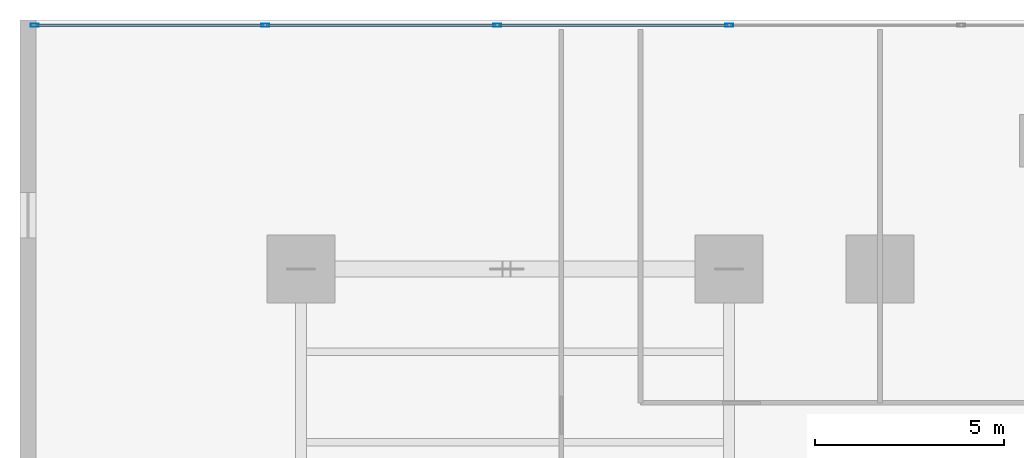
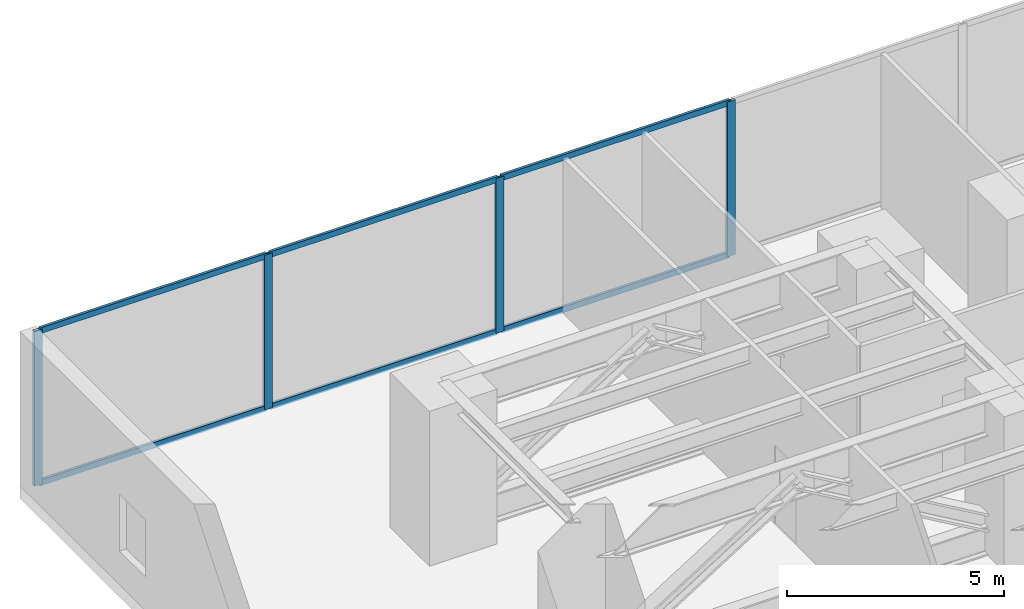
# One storey, part 3 of 18: 10 members, 1 element without a shape of its own.
"""IFC4 building model written with IfcOpenShell, lengths in metres."""

import ifcopenshell
import ifcopenshell.guid

model = None  # the IFC model being written
_history = None  # IfcOwnerHistory: only IFC2X3 demands one
_inside = {}  # id of a spatial element -> (the spatial element, [elements in it])
_under = {}  # id of a project, library or spatial element -> (it, [spatial elements below it])
_declared = {}  # id of a project -> (the project, [libraries it declares])
_typed = {}  # id of a type object -> (the type object, [elements of that type])
_made_of = {}  # id of a material, layer set ... -> (it, [elements and type objects made of it])


def new_model(schema):
    """Start an empty IFC model of exactly this schema.

    Asked for "IFC4X3", IfcOpenShell would pick the latest addendum, in which some entities
    have other attributes; the version numbers below select the first issue.
    IFC2X3 requires an IfcOwnerHistory on every rooted entity: one is made here for all.
    """
    global model, _history
    if schema == "IFC4X3":
        model = ifcopenshell.file(schema_version=(4, 3, 0, 0))
    else:
        model = ifcopenshell.file(schema=schema)
    _inside.clear()
    _under.clear()
    _declared.clear()
    _typed.clear()
    _made_of.clear()
    _history = None
    if model.schema == "IFC2X3":
        org = make("IfcOrganization", Name="unknown")
        user = make(
            "IfcPersonAndOrganization",
            ThePerson=make("IfcPerson", FamilyName="unknown"),
            TheOrganization=org,
        )
        app = make(
            "IfcApplication",
            ApplicationDeveloper=org,
            Version="unknown",
            ApplicationFullName="unknown",
            ApplicationIdentifier="unknown",
        )
        _history = make(
            "IfcOwnerHistory",
            OwningUser=user,
            OwningApplication=app,
            ChangeAction="ADDED",
            CreationDate=0,
        )
    return model


def make(cls, **values):
    """One entity of the class cls with the attributes given. An attribute that is None is left unset."""
    return model.create_entity(
        cls, **{name: value for name, value in values.items() if value is not None}
    )


def rooted(cls, **values):
    """An entity with a GlobalId (a new one), such as an element, a storey or a relation."""
    return make(cls, GlobalId=ifcopenshell.guid.new(), OwnerHistory=_history, **values)


def si_unit(unit_type, name, prefix=None):
    """IfcSIUnit, for example si_unit("LENGTHUNIT", "METRE", prefix="MILLI")."""
    return make("IfcSIUnit", UnitType=unit_type, Prefix=prefix, Name=name)


def assignment(units):
    """IfcUnitAssignment: the units of a project."""
    return None if units is None else make("IfcUnitAssignment", Units=units)


def point(xyz):
    """IfcCartesianPoint."""
    return None if xyz is None else make("IfcCartesianPoint", Coordinates=xyz)


def direction(xyz):
    """IfcDirection."""
    return None if xyz is None else make("IfcDirection", DirectionRatios=xyz)


def frame(location, z_axis=None, x_axis=None):
    """IfcAxis2Placement3D, a coordinate frame: its origin and axes. An axis left out is left unset."""
    return make(
        "IfcAxis2Placement3D",
        Location=point(location),
        Axis=direction(z_axis),
        RefDirection=direction(x_axis),
    )


def frame_2d(location, x_axis=None):
    """IfcAxis2Placement2D, a coordinate frame in the plane: its origin and x axis."""
    return make(
        "IfcAxis2Placement2D", Location=point(location), RefDirection=direction(x_axis)
    )


def origin():
    """The frame at (0, 0, 0) with its axes left unset."""
    return frame((0.0, 0.0, 0.0))


def origin_with_axes():
    """The frame at (0, 0, 0) with the z axis (0, 0, 1) and the x axis (1, 0, 0) written out."""
    return frame((0.0, 0.0, 0.0), z_axis=(0.0, 0.0, 1.0), x_axis=(1.0, 0.0, 0.0))


def origin_2d():
    """The frame at (0, 0) in the plane with its x axis left unset."""
    return frame_2d((0.0, 0.0))


def place(relative_to, where):
    """IfcLocalPlacement: puts the frame where relative to a parent placement (None: the world)."""
    return make(
        "IfcLocalPlacement", PlacementRelTo=relative_to, RelativePlacement=where
    )


def context(
    kind, dimensions, precision=None, world=None, true_north=None, identifier=None
):
    """IfcGeometricRepresentationContext, for example the 3D "Model" context."""
    return make(
        "IfcGeometricRepresentationContext",
        ContextIdentifier=identifier,
        ContextType=kind,
        CoordinateSpaceDimension=dimensions,
        Precision=precision,
        WorldCoordinateSystem=world,
        TrueNorth=true_north,
    )


def subcontext(parent, identifier, kind, view, scale=None):
    """IfcGeometricRepresentationSubContext, for example "Body" below "Model"."""
    return make(
        "IfcGeometricRepresentationSubContext",
        ContextIdentifier=identifier,
        ContextType=kind,
        ParentContext=parent,
        TargetScale=scale,
        TargetView=view,
    )


def project(units=None, contexts=None):
    """IfcProject with its units and contexts."""
    return rooted(
        "IfcProject",
        Name="project",
        RepresentationContexts=contexts,
        UnitsInContext=assignment(units),
    )


def spatial(cls, under=None, at=None, **own):
    """A site, building, storey or space (cls), placed at a placement, below another one or the project."""
    s = rooted(cls, ObjectPlacement=at, **own)
    if under is not None:
        _under.setdefault(under.id(), (under, []))[1].append(s)
    return s


def profile(cls, at=None, kind="AREA", **sizes):
    """A parametric profile (cls). Its sizes go by their IFC names, for example OverallWidth=200.0."""
    return make(cls, ProfileType=kind, Position=at, **sizes)


def hollow_rectangle(**sizes):
    """IfcRectangleHollowProfileDef."""
    return profile("IfcRectangleHollowProfileDef", **sizes)


def extrude(swept, where, along, depth):
    """IfcExtrudedAreaSolid: the profile swept, set in the frame where, extruded along a direction by depth."""
    return make(
        "IfcExtrudedAreaSolid",
        SweptArea=swept,
        Position=where,
        ExtrudedDirection=direction(along),
        Depth=depth,
    )


def shape(context_of_items, identifier, shape_type, items):
    """IfcShapeRepresentation: the items that make up one representation, for example the "Body"."""
    return make(
        "IfcShapeRepresentation",
        ContextOfItems=context_of_items,
        RepresentationIdentifier=identifier,
        RepresentationType=shape_type,
        Items=items,
    )


def source(mapping_origin, context_of_items, identifier, shape_type, items):
    """IfcRepresentationMap: a shape defined once, which mapped items show again and again."""
    return make(
        "IfcRepresentationMap",
        MappingOrigin=mapping_origin,
        MappedRepresentation=shape(context_of_items, identifier, shape_type, items),
    )


def transform(
    local_origin,
    x_axis=None,
    y_axis=None,
    z_axis=None,
    scale=None,
    scale2=None,
    scale3=None,
    uniform=True,
):
    """IfcCartesianTransformationOperator3D, or its non-uniform kind. x_axis, y_axis, z_axis: its Axis1, 2, 3."""
    if uniform:
        return make(
            "IfcCartesianTransformationOperator3D",
            Axis1=direction(x_axis),
            Axis2=direction(y_axis),
            LocalOrigin=point(local_origin),
            Scale=scale,
            Axis3=direction(z_axis),
        )
    return make(
        "IfcCartesianTransformationOperator3DnonUniform",
        Axis1=direction(x_axis),
        Axis2=direction(y_axis),
        LocalOrigin=point(local_origin),
        Scale=scale,
        Axis3=direction(z_axis),
        Scale2=scale2,
        Scale3=scale3,
    )


def mapped(mapping_source, mapping_target):
    """IfcMappedItem: shows the shape of a source again, moved by a transform."""
    return make(
        "IfcMappedItem", MappingSource=mapping_source, MappingTarget=mapping_target
    )


def material(Name=None, Category=None):
    """IfcMaterial."""
    return make("IfcMaterial", Name=Name, Category=Category)


def layer(
    of_material, thickness, ventilated=None, Name=None, Category=None, Priority=None
):
    """IfcMaterialLayer: one layer of a wall or slab, of a material (None: an air gap)."""
    return make(
        "IfcMaterialLayer",
        Material=of_material,
        LayerThickness=thickness,
        IsVentilated=ventilated,
        Name=Name,
        Category=Category,
        Priority=Priority,
    )


def layer_set(layers, Name=None):
    """IfcMaterialLayerSet."""
    return make("IfcMaterialLayerSet", MaterialLayers=layers, LayerSetName=Name)


def material_profile(
    of_material, cross_section, Name=None, Category=None, Priority=None
):
    """IfcMaterialProfile: a cross section and its material."""
    return make(
        "IfcMaterialProfile",
        Name=Name,
        Material=of_material,
        Profile=cross_section,
        Priority=Priority,
        Category=Category,
    )


def profile_set(profiles, Name=None, composite=None):
    """IfcMaterialProfileSet."""
    return make(
        "IfcMaterialProfileSet",
        Name=Name,
        MaterialProfiles=profiles,
        CompositeProfile=composite,
    )


def made_of(thing, what):
    """Note that an element or type object is made of a material, layer set ...; save() writes the relation."""
    if what is not None:
        _made_of.setdefault(what.id(), (what, []))[1].append(thing)
    return thing


def type_object(cls, material=None, **own):
    """A type object (cls), such as IfcWallType, which elements share."""
    return made_of(rooted(cls, **own), material)


def element(
    cls,
    number,
    at=None,
    inside=None,
    cuts=None,
    type_object=None,
    material=None,
    context=None,
    identifier="Body",
    shape_type=None,
    held_by="IfcProductDefinitionShape",
    body=None,
    shapes=None,
    **own,
):
    """One element of the class cls, such as IfcWall. Its Tag is "e" and its number.

    at: its placement. inside: the storey or other place that contains it. cuts: it is an
    opening in that element (IfcRelVoidsElement). A single representation is given by context,
    identifier, shape_type and body (its items); several are given by shapes. held_by: the class
    of the entity that holds the representations. save() writes the other relations.
    """
    e = rooted(cls, Tag="e%d" % number, ObjectPlacement=at, **own)
    if body is not None:
        shapes = [shape(context, identifier, shape_type, body)]
    if shapes is not None:
        e.Representation = make(held_by, Representations=shapes)
    if inside is not None:
        _inside.setdefault(inside.id(), (inside, []))[1].append(e)
    if cuts is not None:
        rooted(
            "IfcRelVoidsElement", RelatingBuildingElement=cuts, RelatedOpeningElement=e
        )
    if type_object is not None:
        _typed.setdefault(type_object.id(), (type_object, []))[1].append(e)
    return made_of(e, material)


def aggregate(whole, parts):
    """IfcRelAggregates: a whole, such as a stair, and the parts it consists of."""
    return rooted("IfcRelAggregates", RelatingObject=whole, RelatedObjects=parts)


def save(model, path):
    """Write the relations noted so far, then the file.

    IfcRelAggregates (storeys below a building ...), IfcRelContainedInSpatialStructure (elements
    in a storey), IfcRelDefinesByType, IfcRelAssociatesMaterial and IfcRelDeclares: one each for
    every whole, place, type object, material and project.
    """
    for whole, parts in _under.values():
        aggregate(whole, parts)
    for where, things in _inside.values():
        rooted(
            "IfcRelContainedInSpatialStructure",
            RelatedElements=things,
            RelatingStructure=where,
        )
    for kind, things in _typed.values():
        rooted("IfcRelDefinesByType", RelatedObjects=things, RelatingType=kind)
    for what, things in _made_of.values():
        rooted("IfcRelAssociatesMaterial", RelatedObjects=things, RelatingMaterial=what)
    for by, libraries in _declared.values():
        rooted("IfcRelDeclares", RelatingContext=by, RelatedDefinitions=libraries)
    model.write(path)


model = new_model("IFC4")

# Units and contexts
model_context = context("Model", 3, precision=1e-05, world=origin(), true_north=direction((0.0, 1.0)))
body_context = subcontext(model_context, "Body", "Model", "MODEL_VIEW")
ifc_project = project(units=[si_unit("LENGTHUNIT", "METRE"), si_unit("AREAUNIT", "SQUARE_METRE"), si_unit("VOLUMEUNIT", "CUBIC_METRE"), si_unit("PLANEANGLEUNIT", "RADIAN"), si_unit("MASSUNIT", "GRAM", prefix="KILO")], contexts=[model_context])

# Site, building, storey
site_placement = place(None, origin())
site = spatial("IfcSite", under=ifc_project, at=site_placement, CompositionType="ELEMENT")
building_placement = place(site_placement, origin())
building = spatial("IfcBuilding", under=site, at=building_placement, Name="Kolvaren Waterfront Exchange", CompositionType="ELEMENT")
storey_placement = place(building_placement, frame((0.0, 0.0, 24.800048828125)))
storey = spatial("IfcBuildingStorey", under=building, at=storey_placement, Name="L06", CompositionType="ELEMENT", Elevation=24.800048828125)

# Curtain wall, members
ifc_material_1 = material(Name="Anodised bronze aluminium 6063-T6", Category="aluminium")
ifc_layer = layer(ifc_material_1, 0.219970703125, Name="Anodised bronze aluminium 6063-T6")
ifc_layer_set = layer_set([ifc_layer], Name="Anodised bronze aluminium 6063-T6")
curtain_wall_type = type_object("IfcCurtainWallType", Name="ARC-CW-SYS1", PredefinedType="USERDEFINED", material=ifc_layer_set)
curtain_wall_placement = place(storey_placement, origin())
curtain_wall = element("IfcCurtainWall", 1, at=curtain_wall_placement, inside=storey, type_object=curtain_wall_type, Name="L06 stick curtain wall CW1 (CW-L06-N2)", ObjectType="STICK CURTAIN WALL", PredefinedType="USERDEFINED")
ifc_material_2 = material(Name="Anodised aluminium 6063-T6", Category="aluminium")
ifc_material_profile_1 = material_profile(ifc_material_2, hollow_rectangle(XDim=0.074951171875, YDim=0.159912109375, WallThickness=0.00439453125, at=origin_2d()), Name="ALU-TRN-160x75x4.5")
ifc_profile_set_1 = profile_set([ifc_material_profile_1], Name="Anodised aluminium 6063-T6")
member_type_1 = type_object("IfcMemberType", Name="ARC-CWT-160", PredefinedType="USERDEFINED", material=ifc_profile_set_1)
shared_shape_1 = source(origin_with_axes(), body_context, "Body", "SweptSolid", [
    extrude(hollow_rectangle(XDim=0.074951171875, YDim=0.159912109375, WallThickness=0.00439453125, at=origin_2d()), origin(), (0.0, 0.0, 1.0), 6.071533203125),
])
member_1_placement = place(storey_placement, frame((18.764892578125, 51.06005859375, 0.037353515625), z_axis=(-1.0, 0.0, 0.0), x_axis=(0.0, -1.0, 0.0)))
member_1 = element("IfcMember", 2, at=member_1_placement, type_object=member_type_1, Name="CW1 transom 4.1", ObjectType="TRANSOM", PredefinedType="USERDEFINED", context=body_context, shape_type="MappedRepresentation", body=[
    mapped(shared_shape_1, transform((0.0, 0.0, 0.0), x_axis=(1.0, 0.0, 0.0), y_axis=(0.0, 1.0, 0.0), z_axis=(0.0, 0.0, 1.0), scale=1.0)),
])
member_2_placement = place(storey_placement, frame((18.764892578125, 51.06005859375, 4.3125), z_axis=(-1.0, 0.0, 0.0), x_axis=(0.0, -1.0, 0.0)))
member_2 = element("IfcMember", 3, at=member_2_placement, type_object=member_type_1, Name="CW1 transom 4.2", ObjectType="TRANSOM", PredefinedType="USERDEFINED", context=body_context, shape_type="MappedRepresentation", body=[
    mapped(shared_shape_1, transform((0.0, 0.0, 0.0), x_axis=(1.0, 0.0, 0.0), y_axis=(0.0, 1.0, 0.0), z_axis=(0.0, 0.0, 1.0), scale=1.0)),
])
member_3_placement = place(storey_placement, frame((12.61328125, 51.06005859375, 0.037353515625), z_axis=(-1.0, 0.0, 0.0), x_axis=(0.0, -1.0, 0.0)))
member_3 = element("IfcMember", 4, at=member_3_placement, type_object=member_type_1, Name="CW1 transom 5.1", ObjectType="TRANSOM", PredefinedType="USERDEFINED", context=body_context, shape_type="MappedRepresentation", body=[
    mapped(shared_shape_1, transform((0.0, 0.0, 0.0), x_axis=(1.0, 0.0, 0.0), y_axis=(0.0, 1.0, 0.0), z_axis=(0.0, 0.0, 1.0), scale=1.0)),
])
member_4_placement = place(storey_placement, frame((12.61328125, 51.06005859375, 4.3125), z_axis=(-1.0, 0.0, 0.0), x_axis=(0.0, -1.0, 0.0)))
member_4 = element("IfcMember", 5, at=member_4_placement, type_object=member_type_1, Name="CW1 transom 5.2", ObjectType="TRANSOM", PredefinedType="USERDEFINED", context=body_context, shape_type="MappedRepresentation", body=[
    mapped(shared_shape_1, transform((0.0, 0.0, 0.0), x_axis=(1.0, 0.0, 0.0), y_axis=(0.0, 1.0, 0.0), z_axis=(0.0, 0.0, 1.0), scale=1.0)),
])
shared_shape_2 = source(origin_with_axes(), body_context, "Body", "SweptSolid", [
    extrude(hollow_rectangle(XDim=0.074951171875, YDim=0.159912109375, WallThickness=0.00439453125, at=origin_2d()), origin(), (0.0, 0.0, 1.0), 6.03173828125),
])
member_5_placement = place(storey_placement, frame((6.461669921875, 51.06005859375, 0.037353515625), z_axis=(-1.0, 0.0, 0.0), x_axis=(0.0, -1.0, 0.0)))
member_5 = element("IfcMember", 6, at=member_5_placement, type_object=member_type_1, Name="CW1 transom 6.1", ObjectType="TRANSOM", PredefinedType="USERDEFINED", context=body_context, shape_type="MappedRepresentation", body=[
    mapped(shared_shape_2, transform((0.0, 0.0, 0.0), x_axis=(1.0, 0.0, 0.0), y_axis=(0.0, 1.0, 0.0), z_axis=(0.0, 0.0, 1.0), scale=1.0)),
])
member_6_placement = place(storey_placement, frame((6.461669921875, 51.06005859375, 4.3125), z_axis=(-1.0, 0.0, 0.0), x_axis=(0.0, -1.0, 0.0)))
member_6 = element("IfcMember", 7, at=member_6_placement, type_object=member_type_1, Name="CW1 transom 6.2", ObjectType="TRANSOM", PredefinedType="USERDEFINED", context=body_context, shape_type="MappedRepresentation", body=[
    mapped(shared_shape_2, transform((0.0, 0.0, 0.0), x_axis=(1.0, 0.0, 0.0), y_axis=(0.0, 1.0, 0.0), z_axis=(0.0, 0.0, 1.0), scale=1.0)),
])
ifc_material_profile_2 = material_profile(ifc_material_2, hollow_rectangle(XDim=0.080078125, YDim=0.219970703125, WallThickness=0.0048828125, at=origin_2d()), Name="ALU-MUL-220x80x5")
ifc_profile_set_2 = profile_set([ifc_material_profile_2], Name="Anodised aluminium 6063-T6")
member_type_2 = type_object("IfcMemberType", Name="ARC-CWM-220", PredefinedType="MULLION", material=ifc_profile_set_2)
shared_shape_3 = source(origin_with_axes(), body_context, "Body", "SweptSolid", [
    extrude(hollow_rectangle(XDim=0.080078125, YDim=0.219970703125, WallThickness=0.0048828125, at=origin_2d()), origin(), (0.0, 0.0, 1.0), 4.349853515625),
])
member_7_placement = place(storey_placement, frame((18.804931640625, 51.06005859375, 0.0), z_axis=(0.0, 0.0, 1.0), x_axis=(0.0, -1.0, 0.0)))
member_7 = element("IfcMember", 8, at=member_7_placement, type_object=member_type_2, Name="CW1 mullion 4", PredefinedType="MULLION", context=body_context, shape_type="MappedRepresentation", body=[
    mapped(shared_shape_3, transform((0.0, 0.0, 0.0), x_axis=(1.0, 0.0, 0.0), y_axis=(0.0, 1.0, 0.0), z_axis=(0.0, 0.0, 1.0), scale=1.0)),
])
member_8_placement = place(storey_placement, frame((12.6533203125, 51.06005859375, 0.0), z_axis=(0.0, 0.0, 1.0), x_axis=(0.0, -1.0, 0.0)))
member_8 = element("IfcMember", 9, at=member_8_placement, type_object=member_type_2, Name="CW1 mullion 5", PredefinedType="MULLION", context=body_context, shape_type="MappedRepresentation", body=[
    mapped(shared_shape_3, transform((0.0, 0.0, 0.0), x_axis=(1.0, 0.0, 0.0), y_axis=(0.0, 1.0, 0.0), z_axis=(0.0, 0.0, 1.0), scale=1.0)),
])
member_9_placement = place(storey_placement, frame((6.501708984375, 51.06005859375, 0.0), z_axis=(0.0, 0.0, 1.0), x_axis=(0.0, -1.0, 0.0)))
member_9 = element("IfcMember", 10, at=member_9_placement, type_object=member_type_2, Name="CW1 mullion 6", PredefinedType="MULLION", context=body_context, shape_type="MappedRepresentation", body=[
    mapped(shared_shape_3, transform((0.0, 0.0, 0.0), x_axis=(1.0, 0.0, 0.0), y_axis=(0.0, 1.0, 0.0), z_axis=(0.0, 0.0, 1.0), scale=1.0)),
])
member_10_placement = place(storey_placement, frame((0.389892578125, 51.06005859375, 0.0), z_axis=(0.0, 0.0, 1.0), x_axis=(0.0, -1.0, 0.0)))
member_10 = element("IfcMember", 11, at=member_10_placement, type_object=member_type_2, Name="CW1 mullion 7", PredefinedType="MULLION", context=body_context, shape_type="MappedRepresentation", body=[
    mapped(shared_shape_3, transform((0.0, 0.0, 0.0), x_axis=(1.0, 0.0, 0.0), y_axis=(0.0, 1.0, 0.0), z_axis=(0.0, 0.0, 1.0), scale=1.0)),
])
aggregate(curtain_wall, [member_7, member_8, member_9, member_10, member_1, member_2, member_3, member_4, member_5, member_6])

save(model, "model.ifc")
